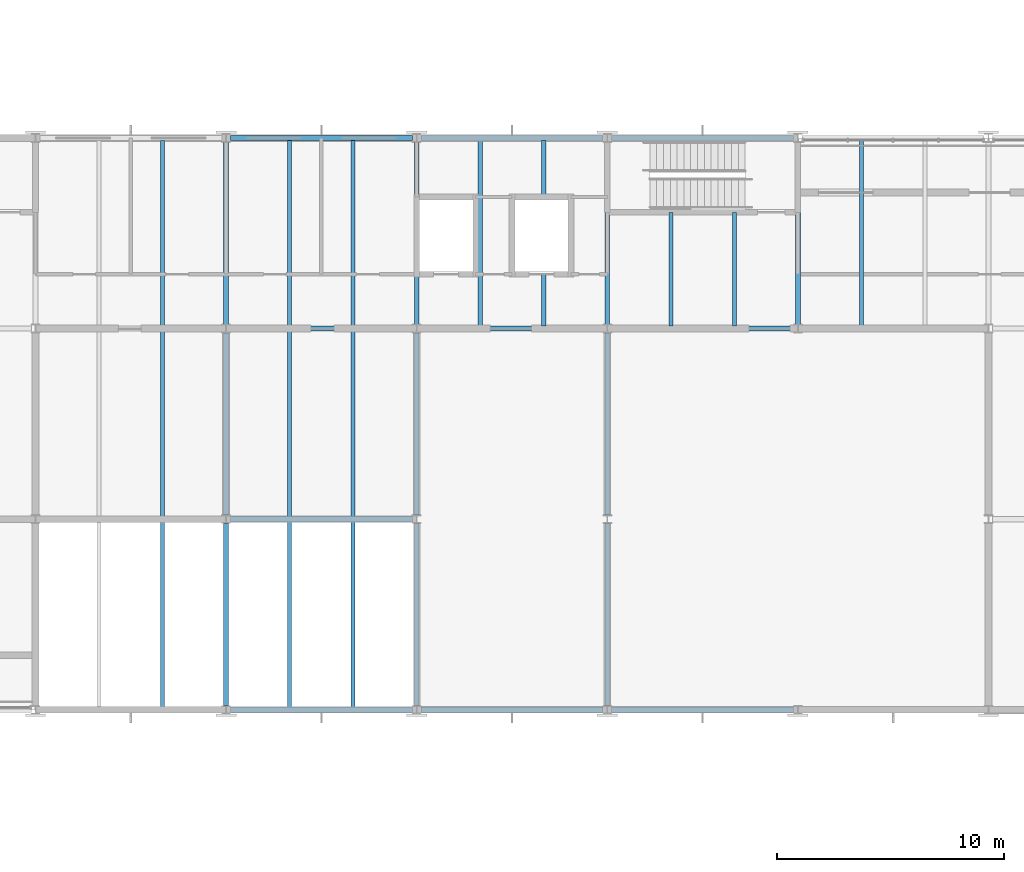
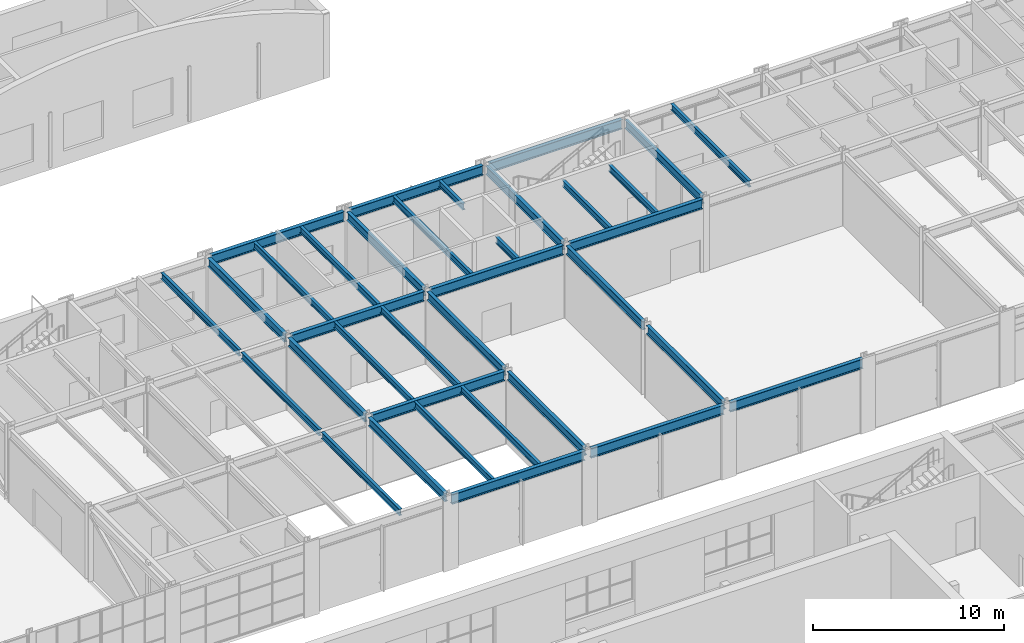
# One storey, part 50 of 127: 35 beams.
"""IFC4 building model written with IfcOpenShell, lengths in metres."""

from ifc_helpers import new_model, si_unit, direction, frame, origin, origin_2d, place, context, subcontext, project, spatial, i_section, extrude, material, material_profile, profile_set, type_object, element, save


model = new_model("IFC4")

# Units and contexts
model_context = context("Model", 3, precision=1e-05, world=origin(), true_north=direction((0.0, 1.0)))
body_context = subcontext(model_context, "Body", "Model", "MODEL_VIEW")
ifc_project = project(units=[si_unit("LENGTHUNIT", "METRE"), si_unit("AREAUNIT", "SQUARE_METRE"), si_unit("VOLUMEUNIT", "CUBIC_METRE"), si_unit("PLANEANGLEUNIT", "RADIAN"), si_unit("MASSUNIT", "GRAM", prefix="KILO")], contexts=[model_context])

# Site, building, storey
site_placement = place(None, origin())
site = spatial("IfcSite", under=ifc_project, at=site_placement, CompositionType="ELEMENT")
building_placement = place(site_placement, origin())
building = spatial("IfcBuilding", under=site, at=building_placement, Name="Ljudholm Concert House", CompositionType="ELEMENT")
storey_placement = place(building_placement, frame((0.0, 0.0, 5.39990234375)))
storey = spatial("IfcBuildingStorey", under=building, at=storey_placement, Name="L01", CompositionType="ELEMENT", Elevation=5.39990234375)

# Beams
ifc_material_1 = material(Name="Steel ASTM A992", Category="steel")
ifc_material_profile_1 = material_profile(ifc_material_1, i_section(OverallWidth=0.177734375, OverallDepth=0.406494140625, WebThickness=0.0078125, FlangeThickness=0.012939453125, FilletRadius=0.01025390625, at=origin_2d()), Name="W16X40")
ifc_profile_set_1 = profile_set([ifc_material_profile_1], Name="Steel ASTM A992")
beam_type_1 = type_object("IfcBeamType", Name="STEEL BEAM W16X40", PredefinedType="BEAM", material=ifc_profile_set_1)
for number, where, z_axis, x_axis, name in (
    (1, (68.39990234375, 104.91455078125, 4.4169921875), (0.0, 1.0, 0.0), (-1.0, 0.0, 0.0), "Beam STUDIO-L02-sb-68.4-104.8"),
    (2, (68.39990234375, 113.314453125, 4.4169921875), (0.0, 1.0, 0.0), (-1.0, 0.0, 0.0), "Beam STUDIO-L02-sb-68.4-113.2"),
    (3, (68.39990234375, 121.714599609375, 4.4169921875), (0.0, 1.0, 0.0), (-1.0, 0.0, 0.0), "Beam STUDIO-L02-sb-68.4-121.6"),
    (4, (74.0, 104.91455078125, 4.4169921875), (0.0, 1.0, 0.0), (-1.0, 0.0, 0.0), "Beam STUDIO-L02-sb-74-104.8"),
    (5, (76.800048828125, 104.91455078125, 4.4169921875), (0.0, 1.0, 0.0), (-1.0, 0.0, 0.0), "Beam STUDIO-L02-sb-76.8-104.8"),
    (6, (74.0, 113.314453125, 4.4169921875), (0.0, 1.0, 0.0), (-1.0, 0.0, 0.0), "Beam STUDIO-L02-sb-74-113.2"),
    (7, (76.800048828125, 113.314453125, 4.4169921875), (0.0, 1.0, 0.0), (-1.0, 0.0, 0.0), "Beam STUDIO-L02-sb-76.8-113.2"),
    (8, (74.0, 121.714599609375, 4.4169921875), (0.0, 1.0, 0.0), (-1.0, 0.0, 0.0), "Beam STUDIO-L02-sb-74-121.6"),
    (9, (76.800048828125, 121.714599609375, 4.4169921875), (0.0, 1.0, 0.0), (-1.0, 0.0, 0.0), "Beam STUDIO-L02-sb-76.8-121.6"),
    (10, (82.39990234375, 121.714599609375, 4.4169921875), (0.0, 1.0, 0.0), (-1.0, 0.0, 0.0), "Beam STUDIO-L02-sb-82.4-121.6"),
):
    element("IfcBeam", number, at=place(storey_placement, frame(where, z_axis=z_axis, x_axis=x_axis)), inside=storey, type_object=beam_type_1, Name=name, PredefinedType="BEAM", context=body_context, shape_type="SweptSolid", body=[
        extrude(i_section(OverallWidth=0.177734375, OverallDepth=0.406494140625, WebThickness=0.0078125, FlangeThickness=0.012939453125, FilletRadius=0.01025390625, at=origin_2d()), origin(), (0.0, 0.0, 1.0), 8.1708984375),
    ])
beam_1_placement = place(storey_placement, frame((85.199951171875, 121.714599609375, 4.4169921875), z_axis=(0.0, 1.0, 0.0), x_axis=(-1.0, 0.0, 0.0)))
element("IfcBeam", 11, at=beam_1_placement, inside=storey, type_object=beam_type_1, Name="Beam STUDIO-L02-sb-85.2-121.6-1", PredefinedType="BEAM", context=body_context, shape_type="SweptSolid", body=[
    extrude(i_section(OverallWidth=0.177734375, OverallDepth=0.406494140625, WebThickness=0.0078125, FlangeThickness=0.012939453125, FilletRadius=0.01025390625, at=origin_2d()), origin(), (0.0, 0.0, 1.0), 2.285400390625),
])
beam_2_placement = place(storey_placement, frame((85.199951171875, 127.39990234375, 4.4169921875), z_axis=(0.0, 1.0, 0.0), x_axis=(-1.0, 0.0, 0.0)))
element("IfcBeam", 12, at=beam_2_placement, inside=storey, type_object=beam_type_1, Name="Beam STUDIO-L02-sb-85.2-121.6-2", PredefinedType="BEAM", context=body_context, shape_type="SweptSolid", body=[
    extrude(i_section(OverallWidth=0.177734375, OverallDepth=0.406494140625, WebThickness=0.0078125, FlangeThickness=0.012939453125, FilletRadius=0.01025390625, at=origin_2d()), origin(), (0.0, 0.0, 1.0), 2.485595703125),
])
for number, where, z_axis, x_axis, name in (
    (13, (90.800048828125, 121.714599609375, 4.4169921875), (0.0, 1.0, 0.0), (-1.0, 0.0, 0.0), "Beam STUDIO-L02-sb-90.8-121.6-1"),
    (14, (93.60009765625, 121.714599609375, 4.4169921875), (0.0, 1.0, 0.0), (-1.0, 0.0, 0.0), "Beam STUDIO-L02-sb-93.6-121.6-1"),
):
    element("IfcBeam", number, at=place(storey_placement, frame(where, z_axis=z_axis, x_axis=x_axis)), inside=storey, type_object=beam_type_1, Name=name, PredefinedType="BEAM", context=body_context, shape_type="SweptSolid", body=[
        extrude(i_section(OverallWidth=0.177734375, OverallDepth=0.406494140625, WebThickness=0.0078125, FlangeThickness=0.012939453125, FilletRadius=0.01025390625, at=origin_2d()), origin(), (0.0, 0.0, 1.0), 5.010498046875),
    ])
beam_3_placement = place(storey_placement, frame((99.199951171875, 121.714599609375, 4.4169921875), z_axis=(0.0, 1.0, 0.0), x_axis=(-1.0, 0.0, 0.0)))
element("IfcBeam", 15, at=beam_3_placement, inside=storey, type_object=beam_type_1, Name="Beam STUDIO-L02-sb-99.2-121.6", PredefinedType="BEAM", context=body_context, shape_type="SweptSolid", body=[
    extrude(i_section(OverallWidth=0.177734375, OverallDepth=0.406494140625, WebThickness=0.0078125, FlangeThickness=0.012939453125, FilletRadius=0.01025390625, at=origin_2d()), origin(), (0.0, 0.0, 1.0), 8.1708984375),
])
ifc_material_2 = material(Name="Steel ASTM A992", Category="steel")
ifc_material_profile_2 = material_profile(ifc_material_2, i_section(OverallWidth=0.209228515625, OverallDepth=0.533447265625, WebThickness=0.01025390625, FlangeThickness=0.015625, FilletRadius=0.012939453125, at=origin_2d()), Name="W21X62")
ifc_profile_set_2 = profile_set([ifc_material_profile_2], Name="Steel ASTM A992")
beam_type_2 = type_object("IfcBeamType", Name="STEEL BEAM W21X62", PredefinedType="BEAM", material=ifc_profile_set_2)
beam_4_placement = place(storey_placement, frame((71.199951171875, 104.986572265625, 4.353515625), z_axis=(0.0, 1.0, 0.0), x_axis=(-1.0, 0.0, 0.0)))
element("IfcBeam", 16, at=beam_4_placement, inside=storey, type_object=beam_type_2, Name="Beam STUDIO-L02-gy-71.2-104.8", PredefinedType="BEAM", context=body_context, shape_type="SweptSolid", body=[
    extrude(i_section(OverallWidth=0.209228515625, OverallDepth=0.533447265625, WebThickness=0.01025390625, FlangeThickness=0.015625, FilletRadius=0.012939453125, at=origin_2d()), origin(), (0.0, 0.0, 1.0), 8.02685546875),
])
for number, where, z_axis, x_axis, name in (
    (17, (71.199951171875, 113.38671875, 4.353515625), (0.0, 1.0, 0.0), (-1.0, 0.0, 0.0), "Beam STUDIO-L02-gy-71.2-113.2"),
    (18, (71.199951171875, 121.78662109375, 4.353515625), (0.0, 1.0, 0.0), (-1.0, 0.0, 0.0), "Beam STUDIO-L02-gy-71.2-121.6"),
):
    element("IfcBeam", number, at=place(storey_placement, frame(where, z_axis=z_axis, x_axis=x_axis)), inside=storey, type_object=beam_type_2, Name=name, PredefinedType="BEAM", context=body_context, shape_type="SweptSolid", body=[
        extrude(i_section(OverallWidth=0.209228515625, OverallDepth=0.533447265625, WebThickness=0.01025390625, FlangeThickness=0.015625, FilletRadius=0.012939453125, at=origin_2d()), origin(), (0.0, 0.0, 1.0), 8.026611328125),
    ])
beam_5_placement = place(storey_placement, frame((79.60009765625, 104.986572265625, 4.353515625), z_axis=(0.0, 1.0, 0.0), x_axis=(-1.0, 0.0, 0.0)))
element("IfcBeam", 19, at=beam_5_placement, inside=storey, type_object=beam_type_2, Name="Beam STUDIO-L02-gy-79.6-104.8", PredefinedType="BEAM", context=body_context, shape_type="SweptSolid", body=[
    extrude(i_section(OverallWidth=0.209228515625, OverallDepth=0.533447265625, WebThickness=0.01025390625, FlangeThickness=0.015625, FilletRadius=0.012939453125, at=origin_2d()), origin(), (0.0, 0.0, 1.0), 8.02685546875),
])
for number, where, z_axis, x_axis, name in (
    (20, (79.60009765625, 113.38671875, 4.353515625), (0.0, 1.0, 0.0), (-1.0, 0.0, 0.0), "Beam STUDIO-L02-gy-79.6-113.2"),
    (21, (79.60009765625, 121.78662109375, 4.353515625), (0.0, 1.0, 0.0), (-1.0, 0.0, 0.0), "Beam STUDIO-L02-gy-79.6-121.6"),
):
    element("IfcBeam", number, at=place(storey_placement, frame(where, z_axis=z_axis, x_axis=x_axis)), inside=storey, type_object=beam_type_2, Name=name, PredefinedType="BEAM", context=body_context, shape_type="SweptSolid", body=[
        extrude(i_section(OverallWidth=0.209228515625, OverallDepth=0.533447265625, WebThickness=0.01025390625, FlangeThickness=0.015625, FilletRadius=0.012939453125, at=origin_2d()), origin(), (0.0, 0.0, 1.0), 8.026611328125),
    ])
beam_6_placement = place(storey_placement, frame((88.0, 104.986572265625, 4.353515625), z_axis=(0.0, 1.0, 0.0), x_axis=(-1.0, 0.0, 0.0)))
element("IfcBeam", 22, at=beam_6_placement, inside=storey, type_object=beam_type_2, Name="Beam STUDIO-L02-gy-88-104.8", PredefinedType="BEAM", context=body_context, shape_type="SweptSolid", body=[
    extrude(i_section(OverallWidth=0.209228515625, OverallDepth=0.533447265625, WebThickness=0.01025390625, FlangeThickness=0.015625, FilletRadius=0.012939453125, at=origin_2d()), origin(), (0.0, 0.0, 1.0), 8.02685546875),
])
for number, where, z_axis, x_axis, name in (
    (23, (88.0, 113.38671875, 4.353515625), (0.0, 1.0, 0.0), (-1.0, 0.0, 0.0), "Beam STUDIO-L02-gy-88-113.2"),
    (24, (88.0, 121.78662109375, 4.353515625), (0.0, 1.0, 0.0), (-1.0, 0.0, 0.0), "Beam STUDIO-L02-gy-88-121.6"),
    (25, (96.39990234375, 121.78662109375, 4.353515625), (0.0, 1.0, 0.0), (-1.0, 0.0, 0.0), "Beam STUDIO-L02-gy-96.4-121.6"),
):
    element("IfcBeam", number, at=place(storey_placement, frame(where, z_axis=z_axis, x_axis=x_axis)), inside=storey, type_object=beam_type_2, Name=name, PredefinedType="BEAM", context=body_context, shape_type="SweptSolid", body=[
        extrude(i_section(OverallWidth=0.209228515625, OverallDepth=0.533447265625, WebThickness=0.01025390625, FlangeThickness=0.015625, FilletRadius=0.012939453125, at=origin_2d()), origin(), (0.0, 0.0, 1.0), 8.026611328125),
    ])
ifc_material_3 = material(Name="Steel ASTM A992", Category="steel")
ifc_material_profile_3 = material_profile(ifc_material_3, i_section(OverallWidth=0.22900390625, OverallDepth=0.612060546875, WebThickness=0.011962890625, FlangeThickness=0.01953125, FilletRadius=0.0126953125, at=origin_2d()), Name="W24X84")
ifc_profile_set_3 = profile_set([ifc_material_profile_3], Name="Steel ASTM A992")
beam_type_3 = type_object("IfcBeamType", Name="STEEL BEAM W24X84", PredefinedType="BEAM", material=ifc_profile_set_3)
for number, where, z_axis, x_axis, name in (
    (26, (71.38671875, 104.800048828125, 4.31396484375), (1.0, 0.0, 0.0), (0.0, 1.0, 0.0), "Beam STUDIO-L02-gx-71.2-104.8"),
    (27, (79.78662109375, 104.800048828125, 4.31396484375), (1.0, 0.0, 0.0), (0.0, 1.0, 0.0), "Beam STUDIO-L02-gx-79.6-104.8"),
    (28, (88.186767578125, 104.800048828125, 4.31396484375), (1.0, 0.0, 0.0), (0.0, 1.0, 0.0), "Beam STUDIO-L02-gx-88-104.8"),
    (29, (71.38671875, 113.199951171875, 4.31396484375), (1.0, 0.0, 0.0), (0.0, 1.0, 0.0), "Beam STUDIO-L02-gx-71.2-113.2"),
    (30, (71.38671875, 121.60009765625, 4.31396484375), (1.0, 0.0, 0.0), (0.0, 1.0, 0.0), "Beam STUDIO-L02-gx-71.2-121.6"),
    (31, (79.78662109375, 121.60009765625, 4.31396484375), (1.0, 0.0, 0.0), (0.0, 1.0, 0.0), "Beam STUDIO-L02-gx-79.6-121.6"),
    (32, (88.186767578125, 121.60009765625, 4.31396484375), (1.0, 0.0, 0.0), (0.0, 1.0, 0.0), "Beam STUDIO-L02-gx-88-121.6"),
    (33, (71.38671875, 130.0, 4.31396484375), (1.0, 0.0, 0.0), (0.0, 1.0, 0.0), "Beam STUDIO-L02-gx-71.2-130"),
    (34, (79.78662109375, 130.0, 4.31396484375), (1.0, 0.0, 0.0), (0.0, 1.0, 0.0), "Beam STUDIO-L02-gx-79.6-130"),
    (35, (88.186767578125, 130.0, 4.31396484375), (1.0, 0.0, 0.0), (0.0, 1.0, 0.0), "Beam STUDIO-L02-gx-88-130"),
):
    element("IfcBeam", number, at=place(storey_placement, frame(where, z_axis=z_axis, x_axis=x_axis)), inside=storey, type_object=beam_type_3, Name=name, PredefinedType="BEAM", context=body_context, shape_type="SweptSolid", body=[
        extrude(i_section(OverallWidth=0.22900390625, OverallDepth=0.612060546875, WebThickness=0.011962890625, FlangeThickness=0.01953125, FilletRadius=0.0126953125, at=origin_2d()), origin(), (0.0, 0.0, 1.0), 8.026611328125),
    ])

save(model, "model.ifc")
